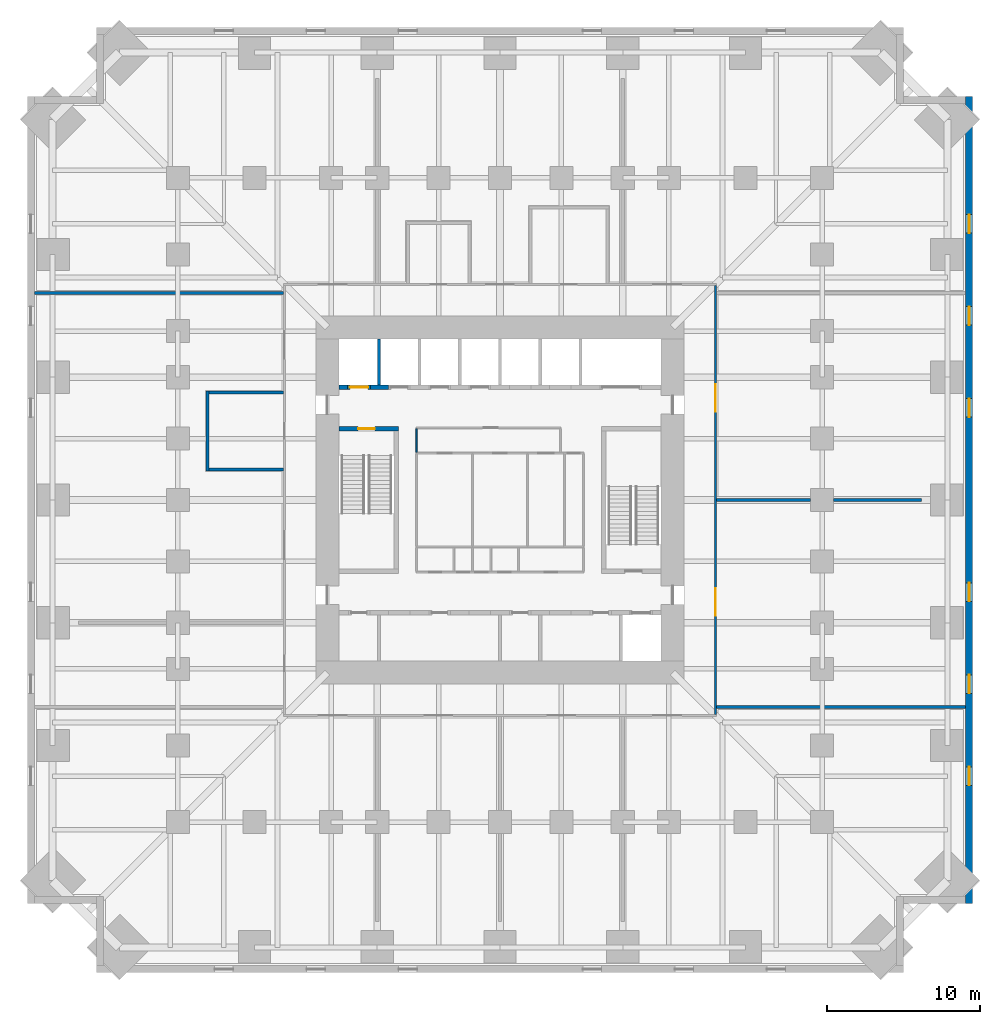
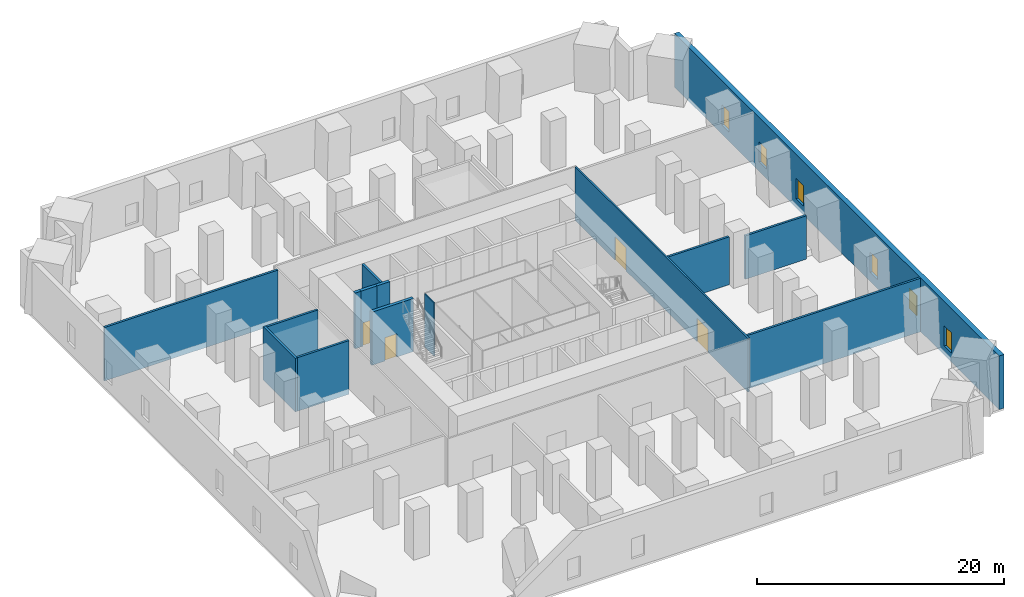
# One storey, part 5 of 8: 15 walls, 6 windows, 4 doors, 10 openings.
"""IFC4 building model written with IfcOpenShell, lengths in metres."""

from ifc_helpers import new_model, si_unit, direction, frame, frame_2d, origin, place, context, subcontext, project, spatial, rectangle, extrude, material, layer, layer_set, type_object, element, fill, save


model = new_model("IFC4")

# Units and contexts
model_context = context("Model", 3, precision=1e-05, world=origin(), true_north=direction((0.0, 1.0)))
body_context = subcontext(model_context, "Body", "Model", "MODEL_VIEW")
ifc_project = project(units=[si_unit("LENGTHUNIT", "METRE"), si_unit("AREAUNIT", "SQUARE_METRE"), si_unit("VOLUMEUNIT", "CUBIC_METRE"), si_unit("PLANEANGLEUNIT", "RADIAN"), si_unit("MASSUNIT", "GRAM", prefix="KILO")], contexts=[model_context])

# Site, building, storey
site_placement = place(None, origin())
site = spatial("IfcSite", under=ifc_project, at=site_placement, CompositionType="ELEMENT")
building_placement = place(site_placement, origin())
building = spatial("IfcBuilding", under=site, at=building_placement, Name="Peilmerk Tower", CompositionType="ELEMENT")
storey_placement = place(building_placement, frame((0.0, 0.0, 43.0)))
storey = spatial("IfcBuildingStorey", under=building, at=storey_placement, Name="L08", CompositionType="ELEMENT", Elevation=43.0)

# Wall, openings, windows
ifc_material_1 = material(Name="Precast concrete C45/55, board-marked finish", Category="concrete")
ifc_layer_1 = layer(ifc_material_1, 0.449951171875)
ifc_layer_set_1 = layer_set([ifc_layer_1], Name="Precast concrete C45/55, board-marked finish")
wall_type_1 = type_object("IfcWallType", Name="EW1 450 precast concrete facade wall, board-marked", PredefinedType="SOLIDWALL", material=ifc_layer_set_1)
wall_1_placement = place(storey_placement, frame((30.574951171875, -26.300048828125, 0.0), z_axis=(0.0, 0.0, 1.0), x_axis=(0.0, 1.0, 0.0)))
wall_1 = element("IfcWall", 1, at=wall_1_placement, inside=storey, type_object=wall_type_1, Name="Facade wall E L08", PredefinedType="SOLIDWALL", context=body_context, shape_type="SweptSolid", body=[
    extrude(rectangle(XDim=52.60009765625, YDim=0.449951171875, at=frame_2d((26.300048828125, 0.0))), origin(), (0.0, 0.0, 1.0), 5.300048828125),
])
opening_1_placement = place(wall_1_placement, frame((7.699951171875, 0.0, 0.89990234375)))
opening_1 = element("IfcOpeningElement", 2, at=opening_1_placement, cuts=wall_1, Name="Opening W2", PredefinedType="OPENING", context=body_context, shape_type="SweptSolid", body=[
    extrude(rectangle(XDim=1.199951171875, YDim=2.0, at=frame_2d((0.60009765625, 1.0))), frame((0.0, 0.23486328125, 0.0), z_axis=(0.0, -1.0, 0.0), x_axis=(1.0, 0.0, 0.0)), (0.0, 0.0, 1.0), 0.469970703125),
])
opening_2_placement = place(wall_1_placement, frame((13.699951171875, 0.0, 0.89990234375)))
opening_2 = element("IfcOpeningElement", 3, at=opening_2_placement, cuts=wall_1, Name="Opening W2", PredefinedType="OPENING", context=body_context, shape_type="SweptSolid", body=[
    extrude(rectangle(XDim=1.199951171875, YDim=2.0, at=frame_2d((0.60009765625, 1.0))), frame((0.0, 0.23486328125, 0.0), z_axis=(0.0, -1.0, 0.0), x_axis=(1.0, 0.0, 0.0)), (0.0, 0.0, 1.0), 0.469970703125),
])
opening_3_placement = place(wall_1_placement, frame((19.699951171875, 0.0, 0.89990234375)))
opening_3 = element("IfcOpeningElement", 4, at=opening_3_placement, cuts=wall_1, Name="Opening W2", PredefinedType="OPENING", context=body_context, shape_type="SweptSolid", body=[
    extrude(rectangle(XDim=1.199951171875, YDim=2.0, at=frame_2d((0.60009765625, 1.0))), frame((0.0, 0.23486328125, 0.0), z_axis=(0.0, -1.0, 0.0), x_axis=(1.0, 0.0, 0.0)), (0.0, 0.0, 1.0), 0.469970703125),
])
opening_4_placement = place(wall_1_placement, frame((31.699951171875, 0.0, 0.89990234375)))
opening_4 = element("IfcOpeningElement", 5, at=opening_4_placement, cuts=wall_1, Name="Opening W2", PredefinedType="OPENING", context=body_context, shape_type="SweptSolid", body=[
    extrude(rectangle(XDim=1.199951171875, YDim=2.0, at=frame_2d((0.60009765625, 1.0))), frame((0.0, 0.23486328125, 0.0), z_axis=(0.0, -1.0, 0.0), x_axis=(1.0, 0.0, 0.0)), (0.0, 0.0, 1.0), 0.469970703125),
])
opening_5_placement = place(wall_1_placement, frame((37.699951171875, 0.0, 0.89990234375)))
opening_5 = element("IfcOpeningElement", 6, at=opening_5_placement, cuts=wall_1, Name="Opening W2", PredefinedType="OPENING", context=body_context, shape_type="SweptSolid", body=[
    extrude(rectangle(XDim=1.199951171875, YDim=2.0, at=frame_2d((0.60009765625, 1.0))), frame((0.0, 0.23486328125, 0.0), z_axis=(0.0, -1.0, 0.0), x_axis=(1.0, 0.0, 0.0)), (0.0, 0.0, 1.0), 0.469970703125),
])
opening_6_placement = place(wall_1_placement, frame((43.699951171875, 0.0, 0.89990234375)))
opening_6 = element("IfcOpeningElement", 7, at=opening_6_placement, cuts=wall_1, Name="Opening W2", PredefinedType="OPENING", context=body_context, shape_type="SweptSolid", body=[
    extrude(rectangle(XDim=1.199951171875, YDim=2.0, at=frame_2d((0.60009765625, 1.0))), frame((0.0, 0.23486328125, 0.0), z_axis=(0.0, -1.0, 0.0), x_axis=(1.0, 0.0, 0.0)), (0.0, 0.0, 1.0), 0.469970703125),
])
ifc_material_2 = material(Name="Aluminium frame, clear double glazing", Category="aluminium")
window_type = type_object("IfcWindowType", Name="W2 1200x2000 data hall slot window", PartitioningType="SINGLE_PANEL", PredefinedType="WINDOW", material=ifc_material_2)
window_1_placement = place(opening_1_placement, origin())
window_1 = element("IfcWindow", 8, at=window_1_placement, inside=storey, type_object=window_type, Name="Window W2 L08", OverallHeight=2.0, OverallWidth=1.199951171875, PartitioningType="SINGLE_PANEL", PredefinedType="WINDOW", context=body_context, shape_type="SweptSolid", body=[
    extrude(rectangle(XDim=1.199951171875, YDim=2.0, at=frame_2d((0.60009765625, 1.0))), frame((0.0, 0.030029296875, 0.0), z_axis=(0.0, -1.0, 0.0), x_axis=(1.0, 0.0, 0.0)), (0.0, 0.0, 1.0), 0.06005859375),
])
fill(opening_1, window_1)
window_2_placement = place(opening_2_placement, origin())
window_2 = element("IfcWindow", 9, at=window_2_placement, inside=storey, type_object=window_type, Name="Window W2 L08", OverallHeight=2.0, OverallWidth=1.199951171875, PartitioningType="SINGLE_PANEL", PredefinedType="WINDOW", context=body_context, shape_type="SweptSolid", body=[
    extrude(rectangle(XDim=1.199951171875, YDim=2.0, at=frame_2d((0.60009765625, 1.0))), frame((0.0, 0.030029296875, 0.0), z_axis=(0.0, -1.0, 0.0), x_axis=(1.0, 0.0, 0.0)), (0.0, 0.0, 1.0), 0.06005859375),
])
fill(opening_2, window_2)
window_3_placement = place(opening_3_placement, origin())
window_3 = element("IfcWindow", 10, at=window_3_placement, inside=storey, type_object=window_type, Name="Window W2 L08", OverallHeight=2.0, OverallWidth=1.199951171875, PartitioningType="SINGLE_PANEL", PredefinedType="WINDOW", context=body_context, shape_type="SweptSolid", body=[
    extrude(rectangle(XDim=1.199951171875, YDim=2.0, at=frame_2d((0.60009765625, 1.0))), frame((0.0, 0.030029296875, 0.0), z_axis=(0.0, -1.0, 0.0), x_axis=(1.0, 0.0, 0.0)), (0.0, 0.0, 1.0), 0.06005859375),
])
fill(opening_3, window_3)
window_4_placement = place(opening_4_placement, origin())
window_4 = element("IfcWindow", 11, at=window_4_placement, inside=storey, type_object=window_type, Name="Window W2 L08", OverallHeight=2.0, OverallWidth=1.199951171875, PartitioningType="SINGLE_PANEL", PredefinedType="WINDOW", context=body_context, shape_type="SweptSolid", body=[
    extrude(rectangle(XDim=1.199951171875, YDim=2.0, at=frame_2d((0.60009765625, 1.0))), frame((0.0, 0.030029296875, 0.0), z_axis=(0.0, -1.0, 0.0), x_axis=(1.0, 0.0, 0.0)), (0.0, 0.0, 1.0), 0.06005859375),
])
fill(opening_4, window_4)
window_5_placement = place(opening_5_placement, origin())
window_5 = element("IfcWindow", 12, at=window_5_placement, inside=storey, type_object=window_type, Name="Window W2 L08", OverallHeight=2.0, OverallWidth=1.199951171875, PartitioningType="SINGLE_PANEL", PredefinedType="WINDOW", context=body_context, shape_type="SweptSolid", body=[
    extrude(rectangle(XDim=1.199951171875, YDim=2.0, at=frame_2d((0.60009765625, 1.0))), frame((0.0, 0.030029296875, 0.0), z_axis=(0.0, -1.0, 0.0), x_axis=(1.0, 0.0, 0.0)), (0.0, 0.0, 1.0), 0.06005859375),
])
fill(opening_5, window_5)
window_6_placement = place(opening_6_placement, origin())
window_6 = element("IfcWindow", 13, at=window_6_placement, inside=storey, type_object=window_type, Name="Window W2 L08", OverallHeight=2.0, OverallWidth=1.199951171875, PartitioningType="SINGLE_PANEL", PredefinedType="WINDOW", context=body_context, shape_type="SweptSolid", body=[
    extrude(rectangle(XDim=1.199951171875, YDim=2.0, at=frame_2d((0.60009765625, 1.0))), frame((0.0, 0.030029296875, 0.0), z_axis=(0.0, -1.0, 0.0), x_axis=(1.0, 0.0, 0.0)), (0.0, 0.0, 1.0), 0.06005859375),
])
fill(opening_6, window_6)

# Wall, openings, doors
ifc_material_3 = material(Name="Calcium silicate block", Category="masonry")
ifc_layer_2 = layer(ifc_material_3, 0.14990234375)
ifc_layer_set_2 = layer_set([ifc_layer_2], Name="Calcium silicate block")
wall_type_2 = type_object("IfcWallType", Name="IW1 150 corridor partition, EI 60", PredefinedType="PARTITIONING", material=ifc_layer_set_2)
wall_2_placement = place(storey_placement, frame((14.050048828125, -13.97509765625, 0.0), z_axis=(0.0, 0.0, 1.0), x_axis=(0.0, 1.0, 0.0)))
wall_2 = element("IfcWall", 14, at=wall_2_placement, inside=storey, type_object=wall_type_2, Name="Corridor wall E L08", PredefinedType="PARTITIONING", context=body_context, shape_type="SweptSolid", body=[
    extrude(rectangle(XDim=27.9501953125, YDim=0.14990234375, at=frame_2d((13.97509765625, 0.0))), origin(), (0.0, 0.0, 1.0), 5.300048828125),
])
opening_7_placement = place(wall_2_placement, frame((6.425048828125, 0.0, 0.0)))
opening_7 = element("IfcOpeningElement", 15, at=opening_7_placement, cuts=wall_2, Name="Opening D2", PredefinedType="OPENING", context=body_context, shape_type="SweptSolid", body=[
    extrude(rectangle(XDim=1.800048828125, YDim=2.300048828125, at=frame_2d((0.89990234375, 1.14990234375))), frame((0.0, 0.0849609375, 0.0), z_axis=(0.0, -1.0, 0.0), x_axis=(1.0, 0.0, 0.0)), (0.0, 0.0, 1.0), 0.169921875),
])
opening_8_placement = place(wall_2_placement, frame((19.72509765625, 0.0, 0.0)))
opening_8 = element("IfcOpeningElement", 16, at=opening_8_placement, cuts=wall_2, Name="Opening D2", PredefinedType="OPENING", context=body_context, shape_type="SweptSolid", body=[
    extrude(rectangle(XDim=1.800048828125, YDim=2.300048828125, at=frame_2d((0.89990234375, 1.14990234375))), frame((0.0, 0.0849609375, 0.0), z_axis=(0.0, -1.0, 0.0), x_axis=(1.0, 0.0, 0.0)), (0.0, 0.0, 1.0), 0.169921875),
])
ifc_material_4 = material(Name="Steel door in steel frame", Category="steel")
door_type_1 = type_object("IfcDoorType", Name="D2 1800x2300 double door, EI2 60", OperationType="DOUBLE_DOOR_DOUBLE_SWING", PredefinedType="DOOR", material=ifc_material_4)
door_1_placement = place(opening_7_placement, frame((1.800048828125, 0.0, 0.0), z_axis=(0.0, 0.0, 1.0), x_axis=(-1.0, 0.0, 0.0)))
door_1 = element("IfcDoor", 17, at=door_1_placement, inside=storey, type_object=door_type_1, Name="Door Battery room L08", OperationType="DOUBLE_DOOR_DOUBLE_SWING", OverallHeight=2.300048828125, OverallWidth=1.800048828125, PredefinedType="DOOR", context=body_context, shape_type="SweptSolid", body=[
    extrude(rectangle(XDim=1.800048828125, YDim=2.300048828125, at=frame_2d((0.89990234375, 1.14990234375))), frame((0.0, 0.02490234375, 0.0), z_axis=(0.0, -1.0, 0.0), x_axis=(1.0, 0.0, 0.0)), (0.0, 0.0, 1.0), 0.050048828125),
])
fill(opening_7, door_1)
door_2_placement = place(opening_8_placement, frame((1.800048828125, 0.0, 0.0), z_axis=(0.0, 0.0, 1.0), x_axis=(-1.0, 0.0, 0.0)))
door_2 = element("IfcDoor", 18, at=door_2_placement, inside=storey, type_object=door_type_1, Name="Door UPS room L08", OperationType="DOUBLE_DOOR_DOUBLE_SWING", OverallHeight=2.300048828125, OverallWidth=1.800048828125, PredefinedType="DOOR", context=body_context, shape_type="SweptSolid", body=[
    extrude(rectangle(XDim=1.800048828125, YDim=2.300048828125, at=frame_2d((0.89990234375, 1.14990234375))), frame((0.0, 0.02490234375, 0.0), z_axis=(0.0, -1.0, 0.0), x_axis=(1.0, 0.0, 0.0)), (0.0, 0.0, 1.0), 0.050048828125),
])
fill(opening_8, door_2)

# Walls
ifc_layer_3 = layer(ifc_material_3, 0.199951171875)
ifc_layer_set_3 = layer_set([ifc_layer_3], Name="Calcium silicate block")
wall_type_3 = type_object("IfcWallType", Name="IW2 200 room separating wall, EI 120", PredefinedType="PARTITIONING", material=ifc_layer_set_3)
for number, where, z_axis, x_axis, name in (
    (19, (-30.35009765625, 13.5, 0.0), (0.0, 0.0, 1.0), (1.0, 0.0, 0.0), "Room separating wall NW L08"),
    (20, (30.35009765625, -13.5, 0.0), (0.0, 0.0, 1.0), (-1.0, 0.0, 0.0), "Room separating wall SE L08"),
):
    element("IfcWall", number, at=place(storey_placement, frame(where, z_axis=z_axis, x_axis=x_axis)), inside=storey, type_object=wall_type_3, Name=name, PredefinedType="PARTITIONING", context=body_context, shape_type="SweptSolid", body=[
        extrude(rectangle(XDim=16.22509765625, YDim=0.199951171875, at=frame_2d((8.112548828125, 0.0))), origin(), (0.0, 0.0, 1.0), 5.300048828125),
    ])
wall_3_placement = place(storey_placement, frame((14.125, 0.0, 0.0), z_axis=(0.0, 0.0, 1.0), x_axis=(1.0, 0.0, 0.0)))
element("IfcWall", 21, at=wall_3_placement, inside=storey, type_object=wall_type_3, Name="Room separating wall E1 L08", PredefinedType="PARTITIONING", context=body_context, shape_type="SweptSolid", body=[
    extrude(rectangle(XDim=6.125, YDim=0.199951171875, at=frame_2d((3.0625, 0.0))), origin(), (0.0, 0.0, 1.0), 4.73095703125),
])
wall_4_placement = place(storey_placement, frame((21.75, 0.0, 0.0), z_axis=(0.0, 0.0, 1.0), x_axis=(1.0, 0.0, 0.0)))
element("IfcWall", 22, at=wall_4_placement, inside=storey, type_object=wall_type_3, Name="Room separating wall E1b L08", PredefinedType="PARTITIONING", context=body_context, shape_type="SweptSolid", body=[
    extrude(rectangle(XDim=5.706298828125, YDim=0.199951171875, at=frame_2d((2.85302734375, 0.0))), origin(), (0.0, 0.0, 1.0), 4.2919921875),
])
wall_5_placement = place(storey_placement, frame((-19.050048828125, 1.89990234375, 0.0), z_axis=(0.0, 0.0, 1.0), x_axis=(0.0, 1.0, 0.0)))
element("IfcWall", 23, at=wall_5_placement, inside=storey, type_object=wall_type_3, Name="Room separating wall Customer meeting room L08", PredefinedType="PARTITIONING", context=body_context, shape_type="SweptSolid", body=[
    extrude(rectangle(XDim=5.2001953125, YDim=0.199951171875, at=frame_2d((2.60009765625, 0.0))), origin(), (0.0, 0.0, 1.0), 5.300048828125),
])
for number, where, z_axis, x_axis, name in (
    (24, (-14.125, 2.0, 0.0), (0.0, 0.0, 1.0), (-1.0, 0.0, 0.0), "Room separating wall Customer meeting room L08"),
    (25, (-14.125, 7.0, 0.0), (0.0, 0.0, 1.0), (-1.0, 0.0, 0.0), "Room separating wall Customer meeting room L08"),
):
    element("IfcWall", number, at=place(storey_placement, frame(where, z_axis=z_axis, x_axis=x_axis)), inside=storey, type_object=wall_type_3, Name=name, PredefinedType="PARTITIONING", context=body_context, shape_type="SweptSolid", body=[
        extrude(rectangle(XDim=4.824951171875, YDim=0.199951171875, at=frame_2d((2.41259765625, 0.0))), origin(), (0.0, 0.0, 1.0), 5.300048828125),
    ])

# Wall, opening, door
ifc_material_5 = material(Name="Concrete C35/45", Category="concrete")
ifc_layer_4 = layer(ifc_material_5, 0.300048828125)
ifc_layer_set_4 = layer_set([ifc_layer_4], Name="Concrete C35/45")
wall_type_4 = type_object("IfcWallType", Name="IW3 300 concrete stair enclosure wall, EI 120", PredefinedType="SOLIDWALL", material=ifc_layer_set_4)
wall_6_placement = place(storey_placement, frame((-10.5, 4.64990234375, 0.0), z_axis=(0.0, 0.0, 1.0), x_axis=(1.0, 0.0, 0.0)))
wall_6 = element("IfcWall", 26, at=wall_6_placement, inside=storey, type_object=wall_type_4, Name="Stair 1 enclosure L08", PredefinedType="SOLIDWALL", context=body_context, shape_type="SweptSolid", body=[
    extrude(rectangle(XDim=3.89990234375, YDim=0.300048828125, at=frame_2d((1.949951171875, 0.0))), origin(), (0.0, 0.0, 1.0), 5.25),
])
opening_9_placement = place(wall_6_placement, frame((1.25, 0.0, 0.0)))
opening_9 = element("IfcOpeningElement", 27, at=opening_9_placement, cuts=wall_6, Name="Opening D4", PredefinedType="OPENING", context=body_context, shape_type="SweptSolid", body=[
    extrude(rectangle(XDim=1.10009765625, YDim=2.300048828125, at=frame_2d((0.550048828125, 1.14990234375))), frame((0.0, 0.159912109375, 0.0), z_axis=(0.0, -1.0, 0.0), x_axis=(1.0, 0.0, 0.0)), (0.0, 0.0, 1.0), 0.320068359375),
])
door_type_2 = type_object("IfcDoorType", Name="D4 1100x2300 stair door, EI2 60", OperationType="SINGLE_SWING_RIGHT", PredefinedType="DOOR", material=ifc_material_4)
door_3_placement = place(opening_9_placement, frame((1.10009765625, 0.0, 0.0), z_axis=(0.0, 0.0, 1.0), x_axis=(-1.0, 0.0, 0.0)))
door_3 = element("IfcDoor", 28, at=door_3_placement, inside=storey, type_object=door_type_2, Name="Stair 1 door L08", OperationType="SINGLE_SWING_RIGHT", OverallHeight=2.300048828125, OverallWidth=1.10009765625, PredefinedType="DOOR", context=body_context, shape_type="SweptSolid", body=[
    extrude(rectangle(XDim=1.10009765625, YDim=2.300048828125, at=frame_2d((0.550048828125, 1.14990234375))), frame((0.0, 0.02490234375, 0.0), z_axis=(0.0, -1.0, 0.0), x_axis=(1.0, 0.0, 0.0)), (0.0, 0.0, 1.0), 0.050048828125),
])
fill(opening_9, door_3)

# Walls
ifc_material_6 = material(Name="Fire-resisting plasterboard on steel studs", Category="steel")
ifc_layer_5 = layer(ifc_material_6, 0.10009765625)
ifc_layer_set_5 = layer_set([ifc_layer_5], Name="Fire-resisting plasterboard on steel studs")
wall_type_5 = type_object("IfcWallType", Name="IW9 100 WC lobby wall, EI 30", PredefinedType="PARTITIONING", material=ifc_layer_set_5)
wall_7_placement = place(storey_placement, frame((-5.449951171875, 3.10009765625, 0.0), z_axis=(0.0, 0.0, 1.0), x_axis=(0.0, 1.0, 0.0)))
element("IfcWall", 29, at=wall_7_placement, inside=storey, type_object=wall_type_5, Name="WC lobby wall L08", PredefinedType="PARTITIONING", context=body_context, shape_type="SweptSolid", body=[
    extrude(rectangle(XDim=1.5498046875, YDim=0.10009765625, at=frame_2d((0.77490234375, 0.0))), origin(), (0.0, 0.0, 1.0), 5.25),
])
ifc_layer_6 = layer(ifc_material_3, 0.199951171875)
ifc_layer_set_6 = layer_set([ifc_layer_6], Name="Calcium silicate block")
wall_type_6 = type_object("IfcWallType", Name="SH1 200 shaft dividing wall, EI 120", PredefinedType="PARTITIONING", material=ifc_layer_set_6)
wall_8_placement = place(storey_placement, frame((-7.875, 7.5, 0.0), z_axis=(0.0, 0.0, 1.0), x_axis=(0.0, 1.0, 0.0)))
element("IfcWall", 30, at=wall_8_placement, inside=storey, type_object=wall_type_6, Name="Shaft wall N FL1 L08", PredefinedType="PARTITIONING", context=body_context, shape_type="SweptSolid", body=[
    extrude(rectangle(XDim=3.0, YDim=0.199951171875, at=frame_2d((1.5, 0.0))), origin(), (0.0, 0.0, 1.0), 5.5),
])

# Wall, opening, door
ifc_layer_7 = layer(ifc_material_3, 0.300048828125)
ifc_layer_set_7 = layer_set([ifc_layer_7], Name="Calcium silicate block")
wall_type_7 = type_object("IfcWallType", Name="SH2 300 lift landing door panel, EI 120", PredefinedType="PARTITIONING", material=ifc_layer_set_7)
wall_9_placement = place(storey_placement, frame((-9.9375, 7.35009765625, 0.0), z_axis=(0.0, 0.0, 1.0), x_axis=(1.0, 0.0, 0.0)))
wall_9 = element("IfcWall", 31, at=wall_9_placement, inside=storey, type_object=wall_type_7, Name="Lift door panel N FL1 L08", PredefinedType="PARTITIONING", context=body_context, shape_type="SweptSolid", body=[
    extrude(rectangle(XDim=1.5, YDim=0.300048828125, at=frame_2d((0.75, 0.0))), origin(), (0.0, 0.0, 1.0), 5.5),
])
opening_10_placement = place(wall_9_placement, frame((0.14990234375, 0.0, 0.0)))
opening_10 = element("IfcOpeningElement", 32, at=opening_10_placement, cuts=wall_9, Name="Opening LD2", PredefinedType="OPENING", context=body_context, shape_type="SweptSolid", body=[
    extrude(rectangle(XDim=1.199951171875, YDim=2.300048828125, at=frame_2d((0.60009765625, 1.14990234375))), frame((0.0, 0.159912109375, 0.0), z_axis=(0.0, -1.0, 0.0), x_axis=(1.0, 0.0, 0.0)), (0.0, 0.0, 1.0), 0.320068359375),
])
ifc_material_7 = material(Name="Stainless steel landing door", Category="steel")
door_type_3 = type_object("IfcDoorType", Name="LD2 1200x2300 lift landing door, sliding, EI2 60", OperationType="SLIDING_TO_LEFT", PredefinedType="DOOR", material=ifc_material_7)
door_4_placement = place(opening_10_placement, frame((1.199951171875, 0.0, 0.0), z_axis=(0.0, 0.0, 1.0), x_axis=(-1.0, 0.0, 0.0)))
door_4 = element("IfcDoor", 33, at=door_4_placement, inside=storey, type_object=door_type_3, Name="Lift landing door FL1 L08", OperationType="SLIDING_TO_LEFT", OverallHeight=2.300048828125, OverallWidth=1.199951171875, PredefinedType="DOOR", context=body_context, shape_type="SweptSolid", body=[
    extrude(rectangle(XDim=1.199951171875, YDim=2.300048828125, at=frame_2d((0.60009765625, 1.14990234375))), frame((0.0, 0.02490234375, 0.0), z_axis=(0.0, -1.0, 0.0), x_axis=(1.0, 0.0, 0.0)), (0.0, 0.0, 1.0), 0.050048828125),
])
fill(opening_10, door_4)

# Walls
ifc_material_8 = material(Name="Concrete C55/67", Category="concrete")
ifc_layer_8 = layer(ifc_material_8, 0.300048828125)
ifc_layer_set_8 = layer_set([ifc_layer_8], Name="Concrete C55/67")
wall_type_8 = type_object("IfcWallType", Name="SW2 300 lift bank pier", PredefinedType="SHEAR", material=ifc_layer_set_8)
wall_10_placement = place(storey_placement, frame((-10.5, 7.35009765625, 0.0), z_axis=(0.0, 0.0, 1.0), x_axis=(1.0, 0.0, 0.0)))
element("IfcWall", 34, at=wall_10_placement, inside=storey, type_object=wall_type_8, Name="Lift bank pier N L08", PredefinedType="SHEAR", context=body_context, shape_type="SweptSolid", body=[
    extrude(rectangle(XDim=0.5625, YDim=0.300048828125, at=frame_2d((0.28125, 0.0))), origin(), (0.0, 0.0, 1.0), 5.5),
])
wall_11_placement = place(storey_placement, frame((-8.4375, 7.35009765625, 0.0), z_axis=(0.0, 0.0, 1.0), x_axis=(1.0, 0.0, 0.0)))
element("IfcWall", 35, at=wall_11_placement, inside=storey, type_object=wall_type_8, Name="Lift bank pier N L08", PredefinedType="SHEAR", context=body_context, shape_type="SweptSolid", body=[
    extrude(rectangle(XDim=1.175048828125, YDim=0.300048828125, at=frame_2d((0.58740234375, 0.0))), origin(), (0.0, 0.0, 1.0), 5.5),
])

save(model, "model.ifc")
